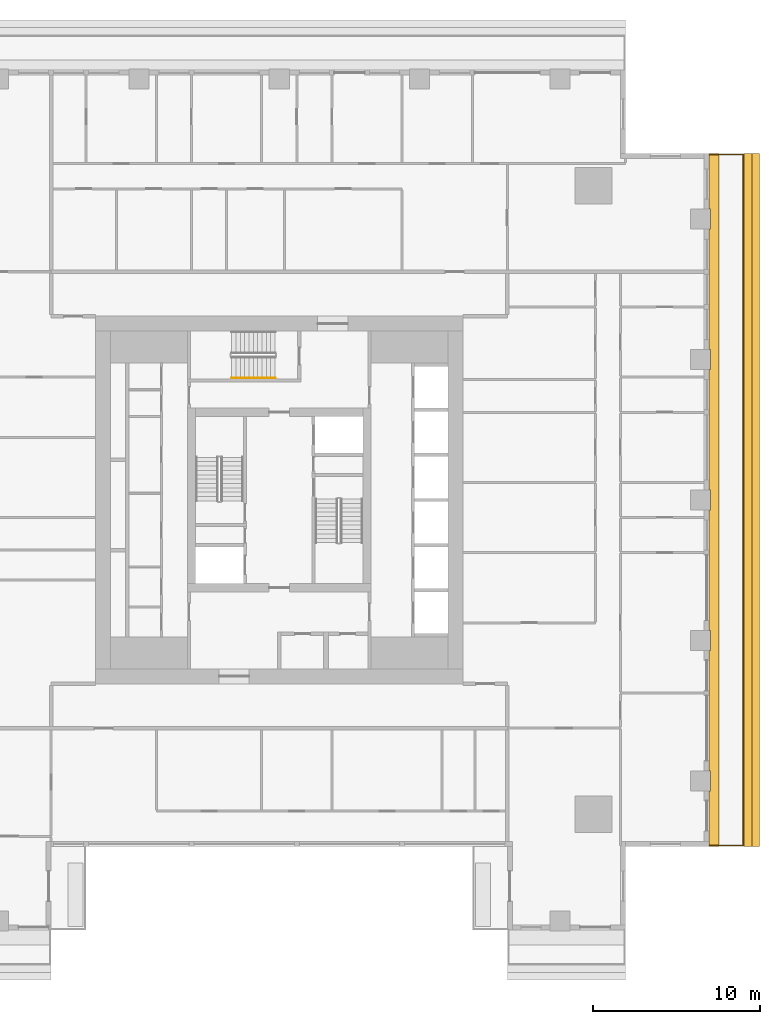
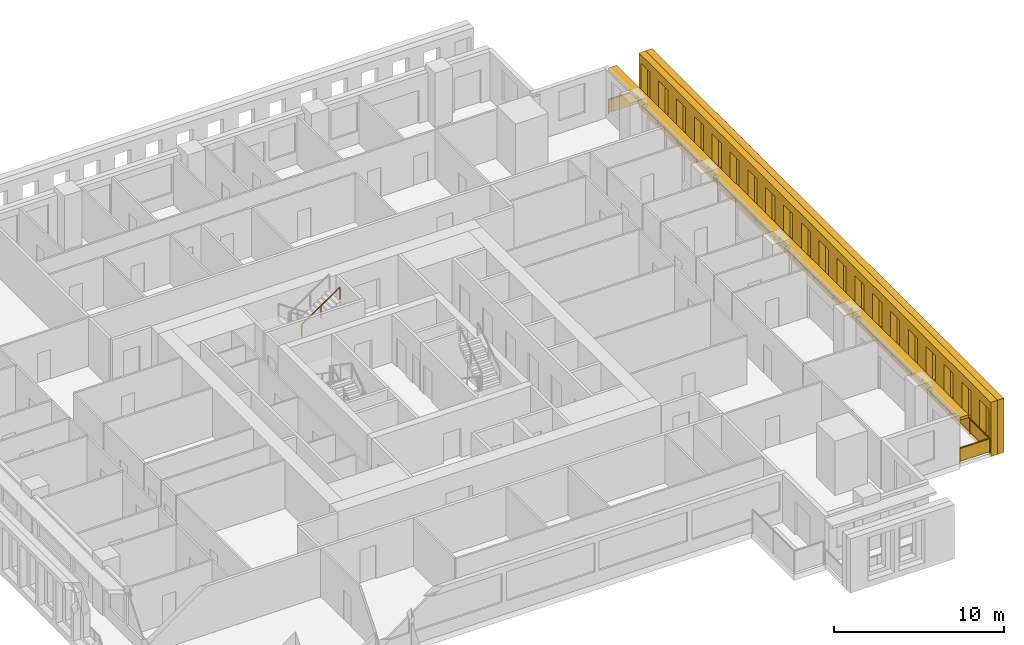
# One storey, part 12 of 14: 3 shading devices, 2 railings.
"""IFC4 building model written with IfcOpenShell, lengths in metres."""

from ifc_helpers import new_model, si_unit, direction, frame, origin, origin_2d, place, context, subcontext, project, spatial, polyline, rectangle, outline, extrude, material, layer, layer_set, type_object, element, save


model = new_model("IFC4")

# Units and contexts
model_context = context("Model", 3, precision=1e-05, world=origin(), true_north=direction((0.0, 1.0)))
body_context = subcontext(model_context, "Body", "Model", "MODEL_VIEW")
ifc_project = project(units=[si_unit("LENGTHUNIT", "METRE"), si_unit("AREAUNIT", "SQUARE_METRE"), si_unit("VOLUMEUNIT", "CUBIC_METRE"), si_unit("PLANEANGLEUNIT", "RADIAN"), si_unit("MASSUNIT", "GRAM", prefix="KILO")], contexts=[model_context])

# Site, building, storey
site_placement = place(None, origin())
site = spatial("IfcSite", under=ifc_project, at=site_placement, CompositionType="ELEMENT")
building_placement = place(site_placement, origin())
building = spatial("IfcBuilding", under=site, at=building_placement, Name="Khepri Terraces", CompositionType="ELEMENT")
storey_placement = place(building_placement, frame((0.0, 0.0, 279.60009765625)))
storey = spatial("IfcBuildingStorey", under=building, at=storey_placement, Name="L67", CompositionType="ELEMENT", Elevation=279.60009765625)

# Railings
ifc_material_1 = material(Name="Stainless steel grade 316", Category="steel")
railing_type_1 = type_object("IfcRailingType", Name="GRD-BAL-1100", PredefinedType="GUARDRAIL", material=ifc_material_1)
railing_1_placement = place(storey_placement, frame((25.719970703125, -20.669921875, 0.0)))
element("IfcRailing", 1, at=railing_1_placement, inside=storey, type_object=railing_type_1, Name="Balcony guard L67 E", PredefinedType="GUARDRAIL", context=body_context, shape_type="SweptSolid", body=[
    extrude(rectangle(XDim=0.050048828125, YDim=0.06005859375, at=origin_2d()), frame((0.0, 0.0, 1.070068359375), z_axis=(1.0, 0.0, 0.0), x_axis=(0.0, 1.0, 0.0)), (0.0, 0.0, 1.0), 2.050048828125),
    extrude(rectangle(XDim=2.0, YDim=0.011962890625, at=origin_2d()), frame((1.02490234375, 0.0, 0.10009765625), z_axis=(0.0, 0.0, 1.0), x_axis=(1.0, 0.0, 0.0)), (0.0, 0.0, 1.0), 0.93994140625),
    extrude(rectangle(XDim=0.050048828125, YDim=0.06005859375, at=origin_2d()), frame((2.050048828125, 0.0, 1.070068359375), z_axis=(0.0, 1.0, 0.0), x_axis=(-1.0, 0.0, 0.0)), (0.0, 0.0, 1.0), 41.33984375),
    extrude(rectangle(XDim=2.24658203125, YDim=0.011962890625, at=origin_2d()), frame((2.050048828125, 1.1484375, 0.10009765625), z_axis=(0.0, 0.0, 1.0), x_axis=(0.0, 1.0, 0.0)), (0.0, 0.0, 1.0), 0.93994140625),
    extrude(rectangle(XDim=2.24658203125, YDim=0.011962890625, at=origin_2d()), frame((2.050048828125, 3.445068359375, 0.10009765625), z_axis=(0.0, 0.0, 1.0), x_axis=(0.0, 1.0, 0.0)), (0.0, 0.0, 1.0), 0.93994140625),
    extrude(rectangle(XDim=2.24658203125, YDim=0.011962890625, at=origin_2d()), frame((2.050048828125, 5.74169921875, 0.10009765625), z_axis=(0.0, 0.0, 1.0), x_axis=(0.0, 1.0, 0.0)), (0.0, 0.0, 1.0), 0.93994140625),
    extrude(rectangle(XDim=2.24658203125, YDim=0.011962890625, at=origin_2d()), frame((2.050048828125, 8.038330078125, 0.10009765625), z_axis=(0.0, 0.0, 1.0), x_axis=(0.0, 1.0, 0.0)), (0.0, 0.0, 1.0), 0.93994140625),
    extrude(rectangle(XDim=2.24658203125, YDim=0.011962890625, at=origin_2d()), frame((2.050048828125, 10.3349609375, 0.10009765625), z_axis=(0.0, 0.0, 1.0), x_axis=(0.0, 1.0, 0.0)), (0.0, 0.0, 1.0), 0.93994140625),
    extrude(rectangle(XDim=2.24658203125, YDim=0.011962890625, at=origin_2d()), frame((2.050048828125, 12.631591796875, 0.10009765625), z_axis=(0.0, 0.0, 1.0), x_axis=(0.0, 1.0, 0.0)), (0.0, 0.0, 1.0), 0.93994140625),
    extrude(rectangle(XDim=2.24658203125, YDim=0.011962890625, at=origin_2d()), frame((2.050048828125, 14.92822265625, 0.10009765625), z_axis=(0.0, 0.0, 1.0), x_axis=(0.0, 1.0, 0.0)), (0.0, 0.0, 1.0), 0.93994140625),
    extrude(rectangle(XDim=2.24658203125, YDim=0.011962890625, at=origin_2d()), frame((2.050048828125, 17.224853515625, 0.10009765625), z_axis=(0.0, 0.0, 1.0), x_axis=(0.0, 1.0, 0.0)), (0.0, 0.0, 1.0), 0.93994140625),
    extrude(rectangle(XDim=2.24658203125, YDim=0.011962890625, at=origin_2d()), frame((2.050048828125, 19.521484375, 0.10009765625), z_axis=(0.0, 0.0, 1.0), x_axis=(0.0, 1.0, 0.0)), (0.0, 0.0, 1.0), 0.93994140625),
    extrude(rectangle(XDim=2.24658203125, YDim=0.011962890625, at=origin_2d()), frame((2.050048828125, 21.818359375, 0.10009765625), z_axis=(0.0, 0.0, 1.0), x_axis=(0.0, 1.0, 0.0)), (0.0, 0.0, 1.0), 0.93994140625),
    extrude(rectangle(XDim=2.24658203125, YDim=0.011962890625, at=origin_2d()), frame((2.050048828125, 24.114990234375, 0.10009765625), z_axis=(0.0, 0.0, 1.0), x_axis=(0.0, 1.0, 0.0)), (0.0, 0.0, 1.0), 0.93994140625),
    extrude(rectangle(XDim=2.24658203125, YDim=0.011962890625, at=origin_2d()), frame((2.050048828125, 26.41162109375, 0.10009765625), z_axis=(0.0, 0.0, 1.0), x_axis=(0.0, 1.0, 0.0)), (0.0, 0.0, 1.0), 0.93994140625),
    extrude(rectangle(XDim=2.24658203125, YDim=0.011962890625, at=origin_2d()), frame((2.050048828125, 28.708251953125, 0.10009765625), z_axis=(0.0, 0.0, 1.0), x_axis=(0.0, 1.0, 0.0)), (0.0, 0.0, 1.0), 0.93994140625),
    extrude(rectangle(XDim=2.24658203125, YDim=0.011962890625, at=origin_2d()), frame((2.050048828125, 31.0048828125, 0.10009765625), z_axis=(0.0, 0.0, 1.0), x_axis=(0.0, 1.0, 0.0)), (0.0, 0.0, 1.0), 0.93994140625),
    extrude(rectangle(XDim=2.24658203125, YDim=0.011962890625, at=origin_2d()), frame((2.050048828125, 33.301513671875, 0.10009765625), z_axis=(0.0, 0.0, 1.0), x_axis=(0.0, 1.0, 0.0)), (0.0, 0.0, 1.0), 0.93994140625),
    extrude(rectangle(XDim=2.24658203125, YDim=0.011962890625, at=origin_2d()), frame((2.050048828125, 35.59814453125, 0.10009765625), z_axis=(0.0, 0.0, 1.0), x_axis=(0.0, 1.0, 0.0)), (0.0, 0.0, 1.0), 0.93994140625),
    extrude(rectangle(XDim=2.24658203125, YDim=0.011962890625, at=origin_2d()), frame((2.050048828125, 37.894775390625, 0.10009765625), z_axis=(0.0, 0.0, 1.0), x_axis=(0.0, 1.0, 0.0)), (0.0, 0.0, 1.0), 0.93994140625),
    extrude(rectangle(XDim=2.24658203125, YDim=0.011962890625, at=origin_2d()), frame((2.050048828125, 40.19140625, 0.10009765625), z_axis=(0.0, 0.0, 1.0), x_axis=(0.0, 1.0, 0.0)), (0.0, 0.0, 1.0), 0.93994140625),
    extrude(rectangle(XDim=0.050048828125, YDim=0.06005859375, at=origin_2d()), frame((2.050048828125, 41.33984375, 1.070068359375), z_axis=(-1.0, 0.0, 0.0), x_axis=(0.0, -1.0, 0.0)), (0.0, 0.0, 1.0), 2.050048828125),
    extrude(rectangle(XDim=2.0, YDim=0.011962890625, at=origin_2d()), frame((1.02490234375, 41.33984375, 0.10009765625), z_axis=(0.0, 0.0, 1.0), x_axis=(-1.0, 0.0, 0.0)), (0.0, 0.0, 1.0), 0.93994140625),
    extrude(rectangle(XDim=0.050048828125, YDim=0.050048828125, at=origin_2d()), origin(), (0.0, 0.0, 1.0), 1.0400390625),
    extrude(rectangle(XDim=0.050048828125, YDim=0.050048828125, at=origin_2d()), frame((2.050048828125, 0.0, 0.0)), (0.0, 0.0, 1.0), 1.0400390625),
    extrude(rectangle(XDim=0.050048828125, YDim=0.050048828125, at=origin_2d()), frame((2.050048828125, 2.296630859375, 0.0)), (0.0, 0.0, 1.0), 1.0400390625),
    extrude(rectangle(XDim=0.050048828125, YDim=0.050048828125, at=origin_2d()), frame((2.050048828125, 4.59326171875, 0.0)), (0.0, 0.0, 1.0), 1.0400390625),
    extrude(rectangle(XDim=0.050048828125, YDim=0.050048828125, at=origin_2d()), frame((2.050048828125, 6.889892578125, 0.0)), (0.0, 0.0, 1.0), 1.0400390625),
    extrude(rectangle(XDim=0.050048828125, YDim=0.050048828125, at=origin_2d()), frame((2.050048828125, 9.1865234375, 0.0)), (0.0, 0.0, 1.0), 1.0400390625),
    extrude(rectangle(XDim=0.050048828125, YDim=0.050048828125, at=origin_2d()), frame((2.050048828125, 11.4833984375, 0.0)), (0.0, 0.0, 1.0), 1.0400390625),
    extrude(rectangle(XDim=0.050048828125, YDim=0.050048828125, at=origin_2d()), frame((2.050048828125, 13.780029296875, 0.0)), (0.0, 0.0, 1.0), 1.0400390625),
    extrude(rectangle(XDim=0.050048828125, YDim=0.050048828125, at=origin_2d()), frame((2.050048828125, 16.07666015625, 0.0)), (0.0, 0.0, 1.0), 1.0400390625),
    extrude(rectangle(XDim=0.050048828125, YDim=0.050048828125, at=origin_2d()), frame((2.050048828125, 18.373291015625, 0.0)), (0.0, 0.0, 1.0), 1.0400390625),
    extrude(rectangle(XDim=0.050048828125, YDim=0.050048828125, at=origin_2d()), frame((2.050048828125, 20.669921875, 0.0)), (0.0, 0.0, 1.0), 1.0400390625),
    extrude(rectangle(XDim=0.050048828125, YDim=0.050048828125, at=origin_2d()), frame((2.050048828125, 22.966552734375, 0.0)), (0.0, 0.0, 1.0), 1.0400390625),
    extrude(rectangle(XDim=0.050048828125, YDim=0.050048828125, at=origin_2d()), frame((2.050048828125, 25.26318359375, 0.0)), (0.0, 0.0, 1.0), 1.0400390625),
    extrude(rectangle(XDim=0.050048828125, YDim=0.050048828125, at=origin_2d()), frame((2.050048828125, 27.559814453125, 0.0)), (0.0, 0.0, 1.0), 1.0400390625),
    extrude(rectangle(XDim=0.050048828125, YDim=0.050048828125, at=origin_2d()), frame((2.050048828125, 29.8564453125, 0.0)), (0.0, 0.0, 1.0), 1.0400390625),
    extrude(rectangle(XDim=0.050048828125, YDim=0.050048828125, at=origin_2d()), frame((2.050048828125, 32.1533203125, 0.0)), (0.0, 0.0, 1.0), 1.0400390625),
    extrude(rectangle(XDim=0.050048828125, YDim=0.050048828125, at=origin_2d()), frame((2.050048828125, 34.449951171875, 0.0)), (0.0, 0.0, 1.0), 1.0400390625),
    extrude(rectangle(XDim=0.050048828125, YDim=0.050048828125, at=origin_2d()), frame((2.050048828125, 36.74658203125, 0.0)), (0.0, 0.0, 1.0), 1.0400390625),
    extrude(rectangle(XDim=0.050048828125, YDim=0.050048828125, at=origin_2d()), frame((2.050048828125, 39.043212890625, 0.0)), (0.0, 0.0, 1.0), 1.0400390625),
    extrude(rectangle(XDim=0.050048828125, YDim=0.050048828125, at=origin_2d()), frame((2.050048828125, 41.33984375, 0.0)), (0.0, 0.0, 1.0), 1.0400390625),
    extrude(rectangle(XDim=0.050048828125, YDim=0.050048828125, at=origin_2d()), frame((0.0, 41.33984375, 0.0)), (0.0, 0.0, 1.0), 1.0400390625),
])
ifc_material_2 = material(Name="Stainless steel 316", Category="steel")
railing_type_2 = type_object("IfcRailingType", Name="RL-CORE-HANDRAIL", PredefinedType="HANDRAIL", material=ifc_material_2)
railing_2_placement = place(storey_placement, frame((-2.85009765625, 7.300048828125, 2.127197265625)))
element("IfcRailing", 2, at=railing_2_placement, inside=storey, type_object=railing_type_2, Name="L67 ST-3 stair handrail 2", PredefinedType="HANDRAIL", context=body_context, shape_type="SweptSolid", body=[
    extrude(rectangle(XDim=0.050048828125, YDim=0.050048828125, at=origin_2d()), frame((0.0, 0.0, 0.875), z_axis=(0.826240473404, 0.0, 0.563317565952), x_axis=(0.0, 1.0, 0.0)), (0.0, 0.0, 1.0), 3.14697265625),
    extrude(rectangle(XDim=0.050048828125, YDim=0.050048828125, at=origin_2d()), origin(), (0.0, 0.0, 1.0), 0.849853515625),
    extrude(rectangle(XDim=0.050048828125, YDim=0.050048828125, at=origin_2d()), frame((1.300048828125, 0.0, 0.88623046875)), (0.0, 0.0, 1.0), 0.849853515625),
    extrude(rectangle(XDim=0.050048828125, YDim=0.050048828125, at=origin_2d()), frame((2.60009765625, 0.0, 1.772705078125)), (0.0, 0.0, 1.0), 0.849853515625),
])

# Shading devices
ifc_material_3 = material(Name="Precast concrete C50/60 warm stone", Category="masonry")
shading_device_type_1 = type_object("IfcShadingDeviceType", Name="SCR-CELL-INNER-450", PredefinedType="USERDEFINED", material=ifc_material_3)
shading_device_1_placement = place(storey_placement, frame((27.820068359375, -20.719970703125, -0.25), z_axis=(1.0, 0.0, 0.0), x_axis=(0.0, 1.0, 0.0)))
element("IfcShadingDevice", 3, at=shading_device_1_placement, inside=storey, type_object=shading_device_type_1, Name="Cell screen L67 E in", ObjectType="SCREEN", PredefinedType="USERDEFINED", context=body_context, shape_type="SweptSolid", body=[
    extrude(outline(polyline([(0.0, 0.0), (41.43994140625, 0.0), (41.43994140625, 3.89990234375), (0.0, 3.89990234375), (0.0, 0.0)]), holes=[polyline([(0.2265625, 0.699951171875), (1.3134765625, 0.699951171875), (1.3134765625, 3.300048828125), (0.2265625, 3.300048828125), (0.2265625, 0.699951171875)]), polyline([(2.32666015625, 0.699951171875), (3.413330078125, 0.699951171875), (3.413330078125, 3.300048828125), (2.32666015625, 3.300048828125), (2.32666015625, 0.699951171875)]), polyline([(4.426513671875, 0.699951171875), (5.513427734375, 0.699951171875), (5.513427734375, 3.300048828125), (4.426513671875, 3.300048828125), (4.426513671875, 0.699951171875)]), polyline([(6.526611328125, 0.699951171875), (7.61328125, 0.699951171875), (7.61328125, 3.300048828125), (6.526611328125, 3.300048828125), (6.526611328125, 0.699951171875)]), polyline([(8.626708984375, 0.699951171875), (9.71337890625, 0.699951171875), (9.71337890625, 3.300048828125), (8.626708984375, 3.300048828125), (8.626708984375, 0.699951171875)]), polyline([(10.7265625, 0.699951171875), (11.8134765625, 0.699951171875), (11.8134765625, 3.300048828125), (10.7265625, 3.300048828125), (10.7265625, 0.699951171875)]), polyline([(12.82666015625, 0.699951171875), (13.913330078125, 0.699951171875), (13.913330078125, 3.300048828125), (12.82666015625, 3.300048828125), (12.82666015625, 0.699951171875)]), polyline([(14.926513671875, 0.699951171875), (16.013427734375, 0.699951171875), (16.013427734375, 3.300048828125), (14.926513671875, 3.300048828125), (14.926513671875, 0.699951171875)]), polyline([(17.026611328125, 0.699951171875), (18.11328125, 0.699951171875), (18.11328125, 3.300048828125), (17.026611328125, 3.300048828125), (17.026611328125, 0.699951171875)]), polyline([(19.126708984375, 0.699951171875), (20.21337890625, 0.699951171875), (20.21337890625, 3.300048828125), (19.126708984375, 3.300048828125), (19.126708984375, 0.699951171875)]), polyline([(21.2265625, 0.699951171875), (22.3134765625, 0.699951171875), (22.3134765625, 3.300048828125), (21.2265625, 3.300048828125), (21.2265625, 0.699951171875)]), polyline([(23.32666015625, 0.699951171875), (24.413330078125, 0.699951171875), (24.413330078125, 3.300048828125), (23.32666015625, 3.300048828125), (23.32666015625, 0.699951171875)]), polyline([(25.426513671875, 0.699951171875), (26.513427734375, 0.699951171875), (26.513427734375, 3.300048828125), (25.426513671875, 3.300048828125), (25.426513671875, 0.699951171875)]), polyline([(27.526611328125, 0.699951171875), (28.61328125, 0.699951171875), (28.61328125, 3.300048828125), (27.526611328125, 3.300048828125), (27.526611328125, 0.699951171875)]), polyline([(29.626708984375, 0.699951171875), (30.71337890625, 0.699951171875), (30.71337890625, 3.300048828125), (29.626708984375, 3.300048828125), (29.626708984375, 0.699951171875)]), polyline([(31.7265625, 0.699951171875), (32.8134765625, 0.699951171875), (32.8134765625, 3.300048828125), (31.7265625, 3.300048828125), (31.7265625, 0.699951171875)]), polyline([(33.82666015625, 0.699951171875), (34.913330078125, 0.699951171875), (34.913330078125, 3.300048828125), (33.82666015625, 3.300048828125), (33.82666015625, 0.699951171875)]), polyline([(35.926513671875, 0.699951171875), (37.013427734375, 0.699951171875), (37.013427734375, 3.300048828125), (35.926513671875, 3.300048828125), (35.926513671875, 0.699951171875)]), polyline([(38.026611328125, 0.699951171875), (39.11328125, 0.699951171875), (39.11328125, 3.300048828125), (38.026611328125, 3.300048828125), (38.026611328125, 0.699951171875)]), polyline([(40.126708984375, 0.699951171875), (41.21337890625, 0.699951171875), (41.21337890625, 3.300048828125), (40.126708984375, 3.300048828125), (40.126708984375, 0.699951171875)])]), origin(), (0.0, 0.0, 1.0), 0.449951171875),
])
shading_device_type_2 = type_object("IfcShadingDeviceType", Name="SCR-CELL-OUTER-450", PredefinedType="USERDEFINED", material=ifc_material_3)
shading_device_2_placement = place(storey_placement, frame((28.27001953125, -20.719970703125, -0.25), z_axis=(1.0, 0.0, 0.0), x_axis=(0.0, 1.0, 0.0)))
element("IfcShadingDevice", 4, at=shading_device_2_placement, inside=storey, type_object=shading_device_type_2, Name="Cell screen L67 E out", ObjectType="SCREEN", PredefinedType="USERDEFINED", context=body_context, shape_type="SweptSolid", body=[
    extrude(outline(polyline([(0.0, 0.0), (41.43994140625, 0.0), (41.43994140625, 3.89990234375), (0.0, 3.89990234375), (0.0, 0.0)]), holes=[polyline([(1.9765625, 0.449951171875), (3.763427734375, 0.449951171875), (3.763427734375, 3.550048828125), (1.9765625, 3.550048828125), (1.9765625, 0.449951171875)]), polyline([(4.07666015625, 0.449951171875), (5.86328125, 0.449951171875), (5.86328125, 3.550048828125), (4.07666015625, 3.550048828125), (4.07666015625, 0.449951171875)]), polyline([(6.176513671875, 0.449951171875), (7.96337890625, 0.449951171875), (7.96337890625, 3.550048828125), (6.176513671875, 3.550048828125), (6.176513671875, 0.449951171875)]), polyline([(8.276611328125, 0.449951171875), (10.0634765625, 0.449951171875), (10.0634765625, 3.550048828125), (8.276611328125, 3.550048828125), (8.276611328125, 0.449951171875)]), polyline([(10.376708984375, 0.449951171875), (12.163330078125, 0.449951171875), (12.163330078125, 3.550048828125), (10.376708984375, 3.550048828125), (10.376708984375, 0.449951171875)]), polyline([(12.4765625, 0.449951171875), (14.263427734375, 0.449951171875), (14.263427734375, 3.550048828125), (12.4765625, 3.550048828125), (12.4765625, 0.449951171875)]), polyline([(14.57666015625, 0.449951171875), (16.36328125, 0.449951171875), (16.36328125, 3.550048828125), (14.57666015625, 3.550048828125), (14.57666015625, 0.449951171875)]), polyline([(16.676513671875, 0.449951171875), (18.46337890625, 0.449951171875), (18.46337890625, 3.550048828125), (16.676513671875, 3.550048828125), (16.676513671875, 0.449951171875)]), polyline([(18.776611328125, 0.449951171875), (20.5634765625, 0.449951171875), (20.5634765625, 3.550048828125), (18.776611328125, 3.550048828125), (18.776611328125, 0.449951171875)]), polyline([(20.876708984375, 0.449951171875), (22.663330078125, 0.449951171875), (22.663330078125, 3.550048828125), (20.876708984375, 3.550048828125), (20.876708984375, 0.449951171875)]), polyline([(22.9765625, 0.449951171875), (24.763427734375, 0.449951171875), (24.763427734375, 3.550048828125), (22.9765625, 3.550048828125), (22.9765625, 0.449951171875)]), polyline([(25.07666015625, 0.449951171875), (26.86328125, 0.449951171875), (26.86328125, 3.550048828125), (25.07666015625, 3.550048828125), (25.07666015625, 0.449951171875)]), polyline([(27.176513671875, 0.449951171875), (28.96337890625, 0.449951171875), (28.96337890625, 3.550048828125), (27.176513671875, 3.550048828125), (27.176513671875, 0.449951171875)]), polyline([(29.276611328125, 0.449951171875), (31.0634765625, 0.449951171875), (31.0634765625, 3.550048828125), (29.276611328125, 3.550048828125), (29.276611328125, 0.449951171875)]), polyline([(31.376708984375, 0.449951171875), (33.163330078125, 0.449951171875), (33.163330078125, 3.550048828125), (31.376708984375, 3.550048828125), (31.376708984375, 0.449951171875)]), polyline([(33.4765625, 0.449951171875), (35.263427734375, 0.449951171875), (35.263427734375, 3.550048828125), (33.4765625, 3.550048828125), (33.4765625, 0.449951171875)]), polyline([(35.57666015625, 0.449951171875), (37.36328125, 0.449951171875), (37.36328125, 3.550048828125), (35.57666015625, 3.550048828125), (35.57666015625, 0.449951171875)]), polyline([(37.676513671875, 0.449951171875), (39.46337890625, 0.449951171875), (39.46337890625, 3.550048828125), (37.676513671875, 3.550048828125), (37.676513671875, 0.449951171875)])]), origin(), (0.0, 0.0, 1.0), 0.449951171875),
])
ifc_layer = layer(ifc_material_3, 0.199951171875, Name="Precast concrete C50/60 warm stone", Category="masonry")
ifc_layer_set = layer_set([ifc_layer], Name="Precast concrete C50/60 warm stone")
shading_device_type_3 = type_object("IfcShadingDeviceType", Name="SSH-BAND-STONE-200-N", PredefinedType="USERDEFINED", material=ifc_layer_set)
shading_device_3_placement = place(storey_placement, frame((0.0, 0.0, 3.099853515625)))
element("IfcShadingDevice", 5, at=shading_device_3_placement, inside=storey, type_object=shading_device_type_3, Name="Sunshade band L67 E", ObjectType="SUNSHADE", PredefinedType="USERDEFINED", context=body_context, shape_type="SweptSolid", body=[
    extrude(outline(polyline([(25.719970703125, -17.39990234375), (25.719970703125, -20.719970703125), (26.320068359375, -20.719970703125), (26.320068359375, 20.719970703125), (25.719970703125, 20.719970703125), (25.719970703125, 17.39990234375), (25.800048828125, 17.39990234375), (25.800048828125, 16.199951171875), (25.719970703125, 16.199951171875), (25.719970703125, 9.0), (25.800048828125, 9.0), (25.800048828125, 7.800048828125), (25.719970703125, 7.800048828125), (25.719970703125, 0.60009765625), (25.800048828125, 0.60009765625), (25.800048828125, -0.60009765625), (25.719970703125, -0.60009765625), (25.719970703125, -7.800048828125), (25.800048828125, -7.800048828125), (25.800048828125, -9.0), (25.719970703125, -9.0), (25.719970703125, -16.199951171875), (25.800048828125, -16.199951171875), (25.800048828125, -17.39990234375), (25.719970703125, -17.39990234375)])), origin(), (0.0, 0.0, 1.0), 0.199951171875),
])

save(model, "model.ifc")
